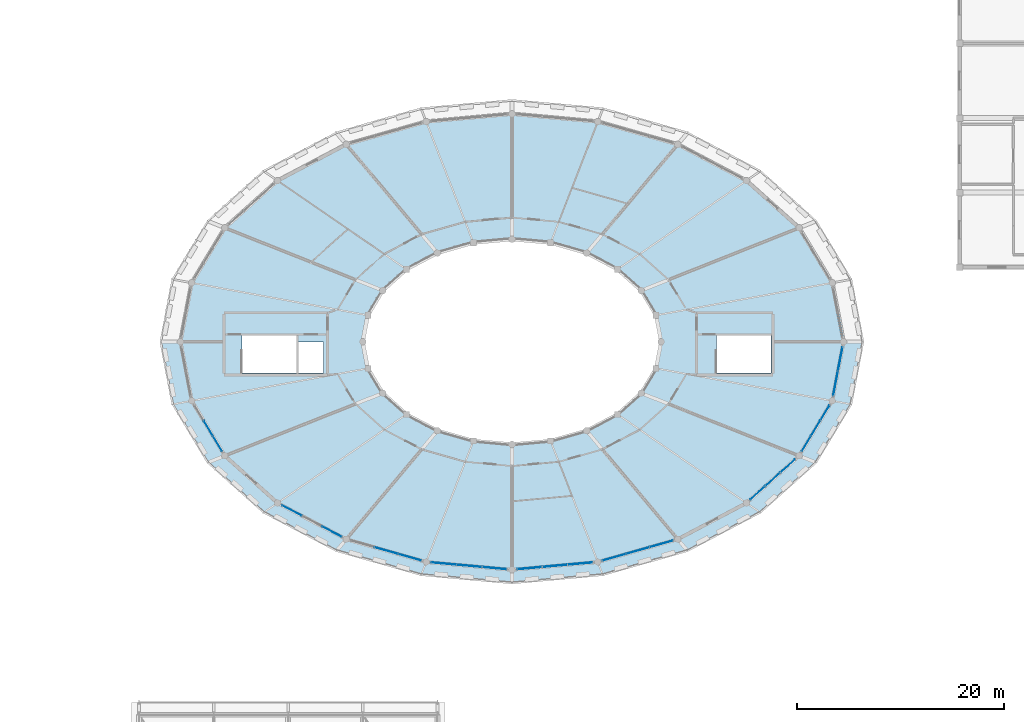
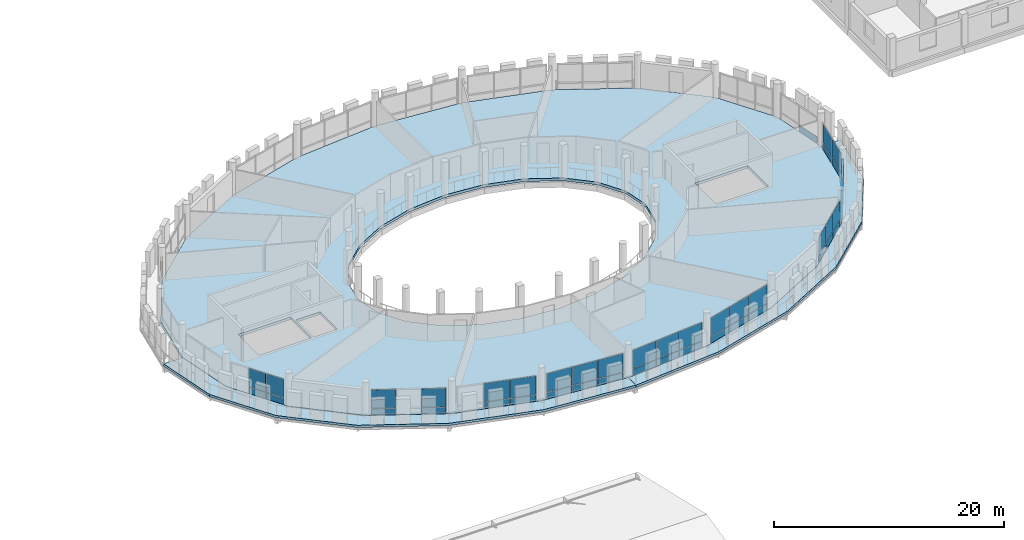
# One storey, part 61 of 84: 47 plates, 3 slabs, 10 elements without a shape of their own.
"""IFC4 building model written with IfcOpenShell, lengths in metres."""

from ifc_helpers import new_model, si_unit, direction, frame, origin, origin_2d, place, context, subcontext, project, spatial, polyline, rectangle, outline, extrude, material, layer, layer_set, type_object, element, aggregate, save


model = new_model("IFC4")

# Units and contexts
model_context = context("Model", 3, precision=1e-05, world=origin(), true_north=direction((0.0, 1.0)))
body_context = subcontext(model_context, "Body", "Model", "MODEL_VIEW")
ifc_project = project(units=[si_unit("LENGTHUNIT", "METRE"), si_unit("AREAUNIT", "SQUARE_METRE"), si_unit("VOLUMEUNIT", "CUBIC_METRE"), si_unit("PLANEANGLEUNIT", "RADIAN"), si_unit("MASSUNIT", "GRAM", prefix="KILO")], contexts=[model_context])

# Site, building, storey
site_placement = place(None, origin())
site = spatial("IfcSite", under=ifc_project, at=site_placement, CompositionType="ELEMENT")
building_placement = place(site_placement, origin())
building = spatial("IfcBuilding", under=site, at=building_placement, Name="Zornivar Specialist Clinic", CompositionType="ELEMENT")
storey_placement = place(building_placement, frame((0.0, 0.0, 12.300048828125)))
storey = spatial("IfcBuildingStorey", under=building, at=storey_placement, Name="L03", CompositionType="ELEMENT", Elevation=12.300048828125)

# Curtain wall, plates
ifc_material_1 = material(Name="Aluminium and Low-E Glass Curtain Wall", Category="aluminium")
curtain_wall_type = type_object("IfcCurtainWallType", Name="CW-DRUM-FACET", PredefinedType="NOTDEFINED", material=ifc_material_1)
curtain_wall_1_placement = place(storey_placement, origin())
curtain_wall_1 = element("IfcCurtainWall", 1, at=curtain_wall_1_placement, inside=storey, type_object=curtain_wall_type, Name="cw:V1:L03:c15", PredefinedType="NOTDEFINED")
ifc_material_2 = material(Name="Insulated Bronze Spandrel Panel")
ifc_layer_1 = layer(ifc_material_2, 0.048095703125)
ifc_layer_set_1 = layer_set([ifc_layer_1], Name="Insulated Bronze Spandrel Panel")
plate_type_1 = type_object("IfcPlateType", Name="CWP-SPN-A", PredefinedType="CURTAIN_PANEL", material=ifc_layer_set_1)
plate_1_placement = place(storey_placement, frame((72.361083984375, 41.31201171875, 0.030517578125), z_axis=(0.0, 0.0, 1.0), x_axis=(0.884383019078, -0.46676190458, 0.0)))
plate_1 = element("IfcPlate", 2, at=plate_1_placement, type_object=plate_type_1, Name="cw:V1:L03:c15:spn:0", PredefinedType="CURTAIN_PANEL", context=body_context, shape_type="SweptSolid", body=[
    extrude(rectangle(XDim=2.10791015625, YDim=0.048095703125, at=origin_2d()), origin(), (0.0, 0.0, 1.0), 0.6708984375),
])
plate_2_placement = place(storey_placement, frame((76.212890625, 39.279052734375, 0.030517578125), z_axis=(0.0, 0.0, 1.0), x_axis=(0.884383019078, -0.46676190458, 0.0)))
plate_2 = element("IfcPlate", 3, at=plate_2_placement, type_object=plate_type_1, Name="cw:V1:L03:c15:spn:2", PredefinedType="CURTAIN_PANEL", context=body_context, shape_type="SweptSolid", body=[
    extrude(rectangle(XDim=2.10791015625, YDim=0.048095703125, at=origin_2d()), origin(), (0.0, 0.0, 1.0), 0.6708984375),
])

curtain_wall_2_placement = place(storey_placement, origin())
curtain_wall_2 = element("IfcCurtainWall", 4, at=curtain_wall_2_placement, inside=storey, type_object=curtain_wall_type, Name="cw:V1:L03:c21", PredefinedType="NOTDEFINED")
plate_3_placement = place(storey_placement, frame((117.31298828125, 43.01708984375, 0.030517578125), z_axis=(0.0, 0.0, 1.0), x_axis=(0.744880599036, 0.667197791648, 0.0)))
plate_3 = element("IfcPlate", 5, at=plate_3_placement, type_object=plate_type_1, Name="cw:V1:L03:c21:spn:0", PredefinedType="CURTAIN_PANEL", context=body_context, shape_type="SweptSolid", body=[
    extrude(rectangle(XDim=1.885986328125, YDim=0.048095703125, at=origin_2d()), origin(), (0.0, 0.0, 1.0), 0.6708984375),
])
plate_4_placement = place(storey_placement, frame((118.77001953125, 44.322021484375, 0.030517578125), z_axis=(0.0, 0.0, 1.0), x_axis=(0.744880599036, 0.667197791648, 0.0)))
plate_4 = element("IfcPlate", 6, at=plate_4_placement, type_object=plate_type_1, Name="cw:V1:L03:c21:spn:1", PredefinedType="CURTAIN_PANEL", context=body_context, shape_type="SweptSolid", body=[
    extrude(rectangle(XDim=1.885986328125, YDim=0.048095703125, at=origin_2d()), origin(), (0.0, 0.0, 1.0), 0.6708984375),
])
plate_5_placement = place(storey_placement, frame((120.22705078125, 45.626953125, 0.030517578125), z_axis=(0.0, 0.0, 1.0), x_axis=(0.744880599036, 0.667197791648, 0.0)))
plate_5 = element("IfcPlate", 7, at=plate_5_placement, type_object=plate_type_1, Name="cw:V1:L03:c21:spn:2", PredefinedType="CURTAIN_PANEL", context=body_context, shape_type="SweptSolid", body=[
    extrude(rectangle(XDim=1.885009765625, YDim=0.048095703125, at=origin_2d()), origin(), (0.0, 0.0, 1.0), 0.6708984375),
])

curtain_wall_3_placement = place(storey_placement, origin())
curtain_wall_3 = element("IfcCurtainWall", 8, at=curtain_wall_3_placement, inside=storey, type_object=curtain_wall_type, Name="cw:V1:L03:c16", PredefinedType="NOTDEFINED")
ifc_material_3 = material(Name="Insulated Bronze Spandrel Panel")
ifc_layer_2 = layer(ifc_material_3, 0.048095703125)
ifc_layer_set_2 = layer_set([ifc_layer_2], Name="Insulated Bronze Spandrel Panel")
plate_type_2 = type_object("IfcPlateType", Name="CWP-SPN-B", PredefinedType="CURTAIN_PANEL", material=ifc_layer_set_2)
plate_6_placement = place(storey_placement, frame((81.458984375, 37.448974609375, 0.030517578125), z_axis=(0.0, 0.0, 1.0), x_axis=(0.961761244933, -0.273889225319, 0.0)))
plate_6 = element("IfcPlate", 9, at=plate_6_placement, type_object=plate_type_2, Name="cw:V1:L03:c16:spn:1", PredefinedType="CURTAIN_PANEL", context=body_context, shape_type="SweptSolid", body=[
    extrude(rectangle(XDim=2.284912109375, YDim=0.048095703125, at=origin_2d()), origin(), (0.0, 0.0, 1.0), 0.6708984375),
])
plate_7_placement = place(storey_placement, frame((83.72412109375, 36.803955078125, 0.030517578125), z_axis=(0.0, 0.0, 1.0), x_axis=(0.961761244933, -0.273889225319, 0.0)))
plate_7 = element("IfcPlate", 10, at=plate_7_placement, type_object=plate_type_2, Name="cw:V1:L03:c16:spn:2", PredefinedType="CURTAIN_PANEL", context=body_context, shape_type="SweptSolid", body=[
    extrude(rectangle(XDim=2.284912109375, YDim=0.048095703125, at=origin_2d()), origin(), (0.0, 0.0, 1.0), 0.6708984375),
])

curtain_wall_4_placement = place(storey_placement, origin())
curtain_wall_4 = element("IfcCurtainWall", 11, at=curtain_wall_4_placement, inside=storey, type_object=curtain_wall_type, Name="cw:V1:L03:c22", PredefinedType="NOTDEFINED")
plate_8_placement = place(storey_placement, frame((122.010986328125, 47.759033203125, 0.030517578125), z_axis=(0.0, 0.0, 1.0), x_axis=(0.516127401954, 0.856511824175, 0.0)))
plate_8 = element("IfcPlate", 12, at=plate_8_placement, type_object=plate_type_2, Name="cw:V1:L03:c22:spn:0", PredefinedType="CURTAIN_PANEL", context=body_context, shape_type="SweptSolid", body=[
    extrude(rectangle(XDim=1.675048828125, YDim=0.048095703125, at=origin_2d()), origin(), (0.0, 0.0, 1.0), 0.6708984375),
])
plate_9_placement = place(storey_placement, frame((122.910888671875, 49.2529296875, 0.030517578125), z_axis=(0.0, 0.0, 1.0), x_axis=(0.516127401954, 0.856511824175, 0.0)))
plate_9 = element("IfcPlate", 13, at=plate_9_placement, type_object=plate_type_2, Name="cw:V1:L03:c22:spn:1", PredefinedType="CURTAIN_PANEL", context=body_context, shape_type="SweptSolid", body=[
    extrude(rectangle(XDim=1.675048828125, YDim=0.048095703125, at=origin_2d()), origin(), (0.0, 0.0, 1.0), 0.6708984375),
])
plate_10_placement = place(storey_placement, frame((123.81201171875, 50.748046875, 0.030517578125), z_axis=(0.0, 0.0, 1.0), x_axis=(0.516127401954, 0.856511824175, 0.0)))
plate_10 = element("IfcPlate", 14, at=plate_10_placement, type_object=plate_type_2, Name="cw:V1:L03:c22:spn:2", PredefinedType="CURTAIN_PANEL", context=body_context, shape_type="SweptSolid", body=[
    extrude(rectangle(XDim=1.675048828125, YDim=0.048095703125, at=origin_2d()), origin(), (0.0, 0.0, 1.0), 0.6708984375),
])

curtain_wall_5_placement = place(storey_placement, origin())
curtain_wall_5 = element("IfcCurtainWall", 15, at=curtain_wall_5_placement, inside=storey, type_object=curtain_wall_type, Name="cw:V1:L03:c17", PredefinedType="NOTDEFINED")
ifc_material_4 = material(Name="Insulated Bronze Spandrel Panel")
ifc_layer_3 = layer(ifc_material_4, 0.048095703125)
ifc_layer_set_3 = layer_set([ifc_layer_3], Name="Insulated Bronze Spandrel Panel")
plate_type_3 = type_object("IfcPlateType", Name="CWP-SPN-C", PredefinedType="CURTAIN_PANEL", material=ifc_layer_set_3)
plate_11_placement = place(storey_placement, frame((87.01708984375, 36.196044921875, 0.030517578125), z_axis=(0.0, 0.0, 1.0), x_axis=(0.995932792393, -0.09009923993, 0.0)))
plate_11 = element("IfcPlate", 16, at=plate_11_placement, type_object=plate_type_3, Name="cw:V1:L03:c17:spn:0", PredefinedType="CURTAIN_PANEL", context=body_context, shape_type="SweptSolid", body=[
    extrude(rectangle(XDim=2.382080078125, YDim=0.048095703125, at=origin_2d()), origin(), (0.0, 0.0, 1.0), 0.6708984375),
])
plate_12_placement = place(storey_placement, frame((89.458984375, 35.97509765625, 0.030517578125), z_axis=(0.0, 0.0, 1.0), x_axis=(0.995932792393, -0.09009923993, 0.0)))
plate_12 = element("IfcPlate", 17, at=plate_12_placement, type_object=plate_type_3, Name="cw:V1:L03:c17:spn:1", PredefinedType="CURTAIN_PANEL", context=body_context, shape_type="SweptSolid", body=[
    extrude(rectangle(XDim=2.382080078125, YDim=0.048095703125, at=origin_2d()), origin(), (0.0, 0.0, 1.0), 0.6708984375),
])
plate_13_placement = place(storey_placement, frame((91.90087890625, 35.75390625, 0.030517578125), z_axis=(0.0, 0.0, 1.0), x_axis=(0.995932792393, -0.09009923993, 0.0)))
plate_13 = element("IfcPlate", 18, at=plate_13_placement, type_object=plate_type_3, Name="cw:V1:L03:c17:spn:2", PredefinedType="CURTAIN_PANEL", context=body_context, shape_type="SweptSolid", body=[
    extrude(rectangle(XDim=2.382080078125, YDim=0.048095703125, at=origin_2d()), origin(), (0.0, 0.0, 1.0), 0.6708984375),
])

curtain_wall_6_placement = place(storey_placement, origin())
curtain_wall_6 = element("IfcCurtainWall", 19, at=curtain_wall_6_placement, inside=storey, type_object=curtain_wall_type, Name="cw:V1:L03:c23", PredefinedType="NOTDEFINED")
plate_14_placement = place(storey_placement, frame((124.827880859375, 53.56494140625, 0.030517578125), z_axis=(0.0, 0.0, 1.0), x_axis=(0.187896976838, 0.982188742602, 0.0)))
plate_14 = element("IfcPlate", 20, at=plate_14_placement, type_object=plate_type_3, Name="cw:V1:L03:c23:spn:0", PredefinedType="CURTAIN_PANEL", context=body_context, shape_type="SweptSolid", body=[
    extrude(rectangle(XDim=2.34912109375, YDim=0.048095703125, at=origin_2d()), origin(), (0.0, 0.0, 1.0), 0.6708984375),
])
plate_15_placement = place(storey_placement, frame((125.282958984375, 55.94091796875, 0.030517578125), z_axis=(0.0, 0.0, 1.0), x_axis=(0.187896976838, 0.982188742602, 0.0)))
plate_15 = element("IfcPlate", 21, at=plate_15_placement, type_object=plate_type_3, Name="cw:V1:L03:c23:spn:1", PredefinedType="CURTAIN_PANEL", context=body_context, shape_type="SweptSolid", body=[
    extrude(rectangle(XDim=2.34912109375, YDim=0.048095703125, at=origin_2d()), origin(), (0.0, 0.0, 1.0), 0.6708984375),
])

# Curtain wall, plate
curtain_wall_7_placement = place(storey_placement, origin())
curtain_wall_7 = element("IfcCurtainWall", 22, at=curtain_wall_7_placement, inside=storey, type_object=curtain_wall_type, Name="cw:V1:L03:c00", PredefinedType="NOTDEFINED")
ifc_material_5 = material(Name="Insulated Limestone-Faced Spandrel Panel", Category="masonry")
ifc_layer_4 = layer(ifc_material_5, 0.05810546875)
ifc_layer_set_4 = layer_set([ifc_layer_4], Name="Insulated Limestone-Faced Spandrel Panel")
plate_type_4 = type_object("IfcPlateType", Name="CWP-SPN-D", PredefinedType="CURTAIN_PANEL", material=ifc_layer_set_4)
plate_16_placement = place(storey_placement, frame((125.281982421875, 59.259033203125, 0.030517578125), z_axis=(0.0, 0.0, 1.0), x_axis=(-0.187896976838, 0.982188742602, 0.0)))
plate_16 = element("IfcPlate", 23, at=plate_16_placement, type_object=plate_type_4, Name="cw:V1:L03:c00:spn:0", PredefinedType="CURTAIN_PANEL", context=body_context, shape_type="SweptSolid", body=[
    extrude(rectangle(XDim=2.34912109375, YDim=0.05810546875, at=origin_2d()), origin(), (0.0, 0.0, 1.0), 0.6708984375),
])
aggregate(curtain_wall_7, [plate_16])

# Curtain wall, plates
curtain_wall_8_placement = place(storey_placement, origin())
curtain_wall_8 = element("IfcCurtainWall", 24, at=curtain_wall_8_placement, inside=storey, type_object=curtain_wall_type, Name="cw:V1:L03:c18", PredefinedType="NOTDEFINED")
plate_17_placement = place(storey_placement, frame((95.299072265625, 35.75390625, 0.030517578125), z_axis=(0.0, 0.0, 1.0), x_axis=(0.995932792393, 0.09009923993, 0.0)))
plate_17 = element("IfcPlate", 25, at=plate_17_placement, type_object=plate_type_4, Name="cw:V1:L03:c18:spn:0", PredefinedType="CURTAIN_PANEL", context=body_context, shape_type="SweptSolid", body=[
    extrude(rectangle(XDim=2.382080078125, YDim=0.05810546875, at=origin_2d()), origin(), (0.0, 0.0, 1.0), 0.6708984375),
])
plate_18_placement = place(storey_placement, frame((97.740966796875, 35.97509765625, 0.030517578125), z_axis=(0.0, 0.0, 1.0), x_axis=(0.995932792393, 0.09009923993, 0.0)))
plate_18 = element("IfcPlate", 26, at=plate_18_placement, type_object=plate_type_4, Name="cw:V1:L03:c18:spn:1", PredefinedType="CURTAIN_PANEL", context=body_context, shape_type="SweptSolid", body=[
    extrude(rectangle(XDim=2.382080078125, YDim=0.05810546875, at=origin_2d()), origin(), (0.0, 0.0, 1.0), 0.6708984375),
])
plate_19_placement = place(storey_placement, frame((100.18310546875, 36.196044921875, 0.030517578125), z_axis=(0.0, 0.0, 1.0), x_axis=(0.995932792393, 0.09009923993, 0.0)))
plate_19 = element("IfcPlate", 27, at=plate_19_placement, type_object=plate_type_4, Name="cw:V1:L03:c18:spn:2", PredefinedType="CURTAIN_PANEL", context=body_context, shape_type="SweptSolid", body=[
    extrude(rectangle(XDim=2.382080078125, YDim=0.05810546875, at=origin_2d()), origin(), (0.0, 0.0, 1.0), 0.6708984375),
])

curtain_wall_9_placement = place(storey_placement, origin())
curtain_wall_9 = element("IfcCurtainWall", 28, at=curtain_wall_9_placement, inside=storey, type_object=curtain_wall_type, Name="cw:V1:L03:c13", PredefinedType="NOTDEFINED")
ifc_material_6 = material(Name="Insulated Bronze Spandrel Panel")
ifc_layer_5 = layer(ifc_material_6, 0.0458984375)
ifc_layer_set_5 = layer_set([ifc_layer_5], Name="Insulated Bronze Spandrel Panel")
plate_type_5 = type_object("IfcPlateType", Name="CWP-SPN-E", PredefinedType="CURTAIN_PANEL", material=ifc_layer_set_5)
plate_20_placement = place(storey_placement, frame((64.2880859375, 49.2529296875, 0.030517578125), z_axis=(0.0, 0.0, 1.0), x_axis=(0.516127401954, -0.856511824175, 0.0)))
plate_20 = element("IfcPlate", 29, at=plate_20_placement, type_object=plate_type_5, Name="cw:V1:L03:c13:spn:1", PredefinedType="CURTAIN_PANEL", context=body_context, shape_type="SweptSolid", body=[
    extrude(rectangle(XDim=1.675048828125, YDim=0.0458984375, at=origin_2d()), origin(), (0.0, 0.0, 1.0), 0.6708984375),
])
plate_21_placement = place(storey_placement, frame((65.18896484375, 47.758056640625, 0.030517578125), z_axis=(0.0, 0.0, 1.0), x_axis=(0.516127401954, -0.856511824175, 0.0)))
plate_21 = element("IfcPlate", 30, at=plate_21_placement, type_object=plate_type_5, Name="cw:V1:L03:c13:spn:2", PredefinedType="CURTAIN_PANEL", context=body_context, shape_type="SweptSolid", body=[
    extrude(rectangle(XDim=1.675048828125, YDim=0.0458984375, at=origin_2d()), origin(), (0.0, 0.0, 1.0), 0.6708984375),
])

curtain_wall_10_placement = place(storey_placement, origin())
curtain_wall_10 = element("IfcCurtainWall", 31, at=curtain_wall_10_placement, inside=storey, type_object=curtain_wall_type, Name="cw:V1:L03:c19", PredefinedType="NOTDEFINED")
plate_22_placement = place(storey_placement, frame((103.47607421875, 36.802978515625, 0.030517578125), z_axis=(0.0, 0.0, 1.0), x_axis=(0.961761244933, 0.273889225319, 0.0)))
plate_22 = element("IfcPlate", 32, at=plate_22_placement, type_object=plate_type_5, Name="cw:V1:L03:c19:spn:0", PredefinedType="CURTAIN_PANEL", context=body_context, shape_type="SweptSolid", body=[
    extrude(rectangle(XDim=2.284912109375, YDim=0.0458984375, at=origin_2d()), origin(), (0.0, 0.0, 1.0), 0.6708984375),
])
plate_23_placement = place(storey_placement, frame((105.740966796875, 37.447998046875, 0.030517578125), z_axis=(0.0, 0.0, 1.0), x_axis=(0.961761244933, 0.273889225319, 0.0)))
plate_23 = element("IfcPlate", 33, at=plate_23_placement, type_object=plate_type_5, Name="cw:V1:L03:c19:spn:1", PredefinedType="CURTAIN_PANEL", context=body_context, shape_type="SweptSolid", body=[
    extrude(rectangle(XDim=2.284912109375, YDim=0.0458984375, at=origin_2d()), origin(), (0.0, 0.0, 1.0), 0.6708984375),
])
plate_24_placement = place(storey_placement, frame((108.006103515625, 38.093017578125, 0.030517578125), z_axis=(0.0, 0.0, 1.0), x_axis=(0.961761244933, 0.273889225319, 0.0)))
plate_24 = element("IfcPlate", 34, at=plate_24_placement, type_object=plate_type_5, Name="cw:V1:L03:c19:spn:2", PredefinedType="CURTAIN_PANEL", context=body_context, shape_type="SweptSolid", body=[
    extrude(rectangle(XDim=2.284912109375, YDim=0.0458984375, at=origin_2d()), origin(), (0.0, 0.0, 1.0), 0.6708984375),
])

# Plate
ifc_material_7 = material(Name="Triple Low-E Vision Glass", Category="glass")
ifc_layer_6 = layer(ifc_material_7, 0.035888671875)
ifc_layer_set_6 = layer_set([ifc_layer_6], Name="Triple Low-E Vision Glass")
plate_type_6 = type_object("IfcPlateType", Name="CWP-VIS-A", PredefinedType="CURTAIN_PANEL", material=ifc_layer_set_6)
plate_25_placement = place(storey_placement, frame((87.01708984375, 36.196044921875, 0.76611328125), z_axis=(0.0, 0.0, 1.0), x_axis=(0.995932792393, -0.09009923993, 0.0)))
plate_25 = element("IfcPlate", 35, at=plate_25_placement, type_object=plate_type_6, Name="cw:V1:L03:c17:vis:0", PredefinedType="CURTAIN_PANEL", context=body_context, shape_type="SweptSolid", body=[
    extrude(rectangle(XDim=2.382080078125, YDim=0.035888671875, at=origin_2d()), origin(), (0.0, 0.0, 1.0), 1.944091796875),
])

plate_26_placement = place(storey_placement, frame((89.458984375, 35.97509765625, 0.76611328125), z_axis=(0.0, 0.0, 1.0), x_axis=(0.995932792393, -0.09009923993, 0.0)))
plate_26 = element("IfcPlate", 36, at=plate_26_placement, type_object=plate_type_6, Name="cw:V1:L03:c17:vis:1", PredefinedType="CURTAIN_PANEL", context=body_context, shape_type="SweptSolid", body=[
    extrude(rectangle(XDim=2.382080078125, YDim=0.035888671875, at=origin_2d()), origin(), (0.0, 0.0, 1.0), 1.944091796875),
])

plate_27_placement = place(storey_placement, frame((91.90087890625, 35.75390625, 0.76611328125), z_axis=(0.0, 0.0, 1.0), x_axis=(0.995932792393, -0.09009923993, 0.0)))
plate_27 = element("IfcPlate", 37, at=plate_27_placement, type_object=plate_type_6, Name="cw:V1:L03:c17:vis:2", PredefinedType="CURTAIN_PANEL", context=body_context, shape_type="SweptSolid", body=[
    extrude(rectangle(XDim=2.382080078125, YDim=0.035888671875, at=origin_2d()), origin(), (0.0, 0.0, 1.0), 1.944091796875),
])

aggregate(curtain_wall_5, [plate_11, plate_25, plate_12, plate_26, plate_13, plate_27])

ifc_material_8 = material(Name="Triple Low-E Vision Glass", Category="glass")
ifc_layer_7 = layer(ifc_material_8, 0.035888671875)
ifc_layer_set_7 = layer_set([ifc_layer_7], Name="Triple Low-E Vision Glass")
plate_type_7 = type_object("IfcPlateType", Name="CWP-VIS-B", PredefinedType="CURTAIN_PANEL", material=ifc_layer_set_7)
plate_28_placement = place(storey_placement, frame((95.299072265625, 35.75390625, 0.76611328125), z_axis=(0.0, 0.0, 1.0), x_axis=(0.995932792393, 0.09009923993, 0.0)))
plate_28 = element("IfcPlate", 38, at=plate_28_placement, type_object=plate_type_7, Name="cw:V1:L03:c18:vis:0", PredefinedType="CURTAIN_PANEL", context=body_context, shape_type="SweptSolid", body=[
    extrude(rectangle(XDim=2.382080078125, YDim=0.035888671875, at=origin_2d()), origin(), (0.0, 0.0, 1.0), 1.944091796875),
])

plate_29_placement = place(storey_placement, frame((97.740966796875, 35.97509765625, 0.76611328125), z_axis=(0.0, 0.0, 1.0), x_axis=(0.995932792393, 0.09009923993, 0.0)))
plate_29 = element("IfcPlate", 39, at=plate_29_placement, type_object=plate_type_7, Name="cw:V1:L03:c18:vis:1", PredefinedType="CURTAIN_PANEL", context=body_context, shape_type="SweptSolid", body=[
    extrude(rectangle(XDim=2.382080078125, YDim=0.035888671875, at=origin_2d()), origin(), (0.0, 0.0, 1.0), 1.944091796875),
])

plate_30_placement = place(storey_placement, frame((100.18310546875, 36.196044921875, 0.76611328125), z_axis=(0.0, 0.0, 1.0), x_axis=(0.995932792393, 0.09009923993, 0.0)))
plate_30 = element("IfcPlate", 40, at=plate_30_placement, type_object=plate_type_7, Name="cw:V1:L03:c18:vis:2", PredefinedType="CURTAIN_PANEL", context=body_context, shape_type="SweptSolid", body=[
    extrude(rectangle(XDim=2.382080078125, YDim=0.035888671875, at=origin_2d()), origin(), (0.0, 0.0, 1.0), 1.944091796875),
])

aggregate(curtain_wall_8, [plate_17, plate_28, plate_18, plate_29, plate_19, plate_30])

ifc_material_9 = material(Name="Triple Low-E Vision Glass", Category="glass")
ifc_layer_8 = layer(ifc_material_9, 0.035888671875)
ifc_layer_set_8 = layer_set([ifc_layer_8], Name="Triple Low-E Vision Glass")
plate_type_8 = type_object("IfcPlateType", Name="CWP-VIS-C", PredefinedType="CURTAIN_PANEL", material=ifc_layer_set_8)
plate_31_placement = place(storey_placement, frame((103.47607421875, 36.802978515625, 0.76611328125), z_axis=(0.0, 0.0, 1.0), x_axis=(0.961761244933, 0.273889225319, 0.0)))
plate_31 = element("IfcPlate", 41, at=plate_31_placement, type_object=plate_type_8, Name="cw:V1:L03:c19:vis:0", PredefinedType="CURTAIN_PANEL", context=body_context, shape_type="SweptSolid", body=[
    extrude(rectangle(XDim=2.284912109375, YDim=0.035888671875, at=origin_2d()), origin(), (0.0, 0.0, 1.0), 1.944091796875),
])

plate_32_placement = place(storey_placement, frame((105.740966796875, 37.447998046875, 0.76611328125), z_axis=(0.0, 0.0, 1.0), x_axis=(0.961761244933, 0.273889225319, 0.0)))
plate_32 = element("IfcPlate", 42, at=plate_32_placement, type_object=plate_type_8, Name="cw:V1:L03:c19:vis:1", PredefinedType="CURTAIN_PANEL", context=body_context, shape_type="SweptSolid", body=[
    extrude(rectangle(XDim=2.284912109375, YDim=0.035888671875, at=origin_2d()), origin(), (0.0, 0.0, 1.0), 1.944091796875),
])

plate_33_placement = place(storey_placement, frame((108.006103515625, 38.093017578125, 0.76611328125), z_axis=(0.0, 0.0, 1.0), x_axis=(0.961761244933, 0.273889225319, 0.0)))
plate_33 = element("IfcPlate", 43, at=plate_33_placement, type_object=plate_type_8, Name="cw:V1:L03:c19:vis:2", PredefinedType="CURTAIN_PANEL", context=body_context, shape_type="SweptSolid", body=[
    extrude(rectangle(XDim=2.284912109375, YDim=0.035888671875, at=origin_2d()), origin(), (0.0, 0.0, 1.0), 1.944091796875),
])

aggregate(curtain_wall_10, [plate_22, plate_31, plate_23, plate_32, plate_24, plate_33])

ifc_material_10 = material(Name="Triple Low-E Vision Glass", Category="glass")
ifc_layer_9 = layer(ifc_material_10, 0.035888671875)
ifc_layer_set_9 = layer_set([ifc_layer_9], Name="Triple Low-E Vision Glass")
plate_type_9 = type_object("IfcPlateType", Name="CWP-VIS-E", PredefinedType="CURTAIN_PANEL", material=ifc_layer_set_9)
plate_34_placement = place(storey_placement, frame((117.31298828125, 43.01708984375, 0.76611328125), z_axis=(0.0, 0.0, 1.0), x_axis=(0.744880599036, 0.667197791648, 0.0)))
plate_34 = element("IfcPlate", 44, at=plate_34_placement, type_object=plate_type_9, Name="cw:V1:L03:c21:vis:0", PredefinedType="CURTAIN_PANEL", context=body_context, shape_type="SweptSolid", body=[
    extrude(rectangle(XDim=1.885986328125, YDim=0.035888671875, at=origin_2d()), origin(), (0.0, 0.0, 1.0), 1.944091796875),
])

plate_35_placement = place(storey_placement, frame((118.77001953125, 44.322021484375, 0.76611328125), z_axis=(0.0, 0.0, 1.0), x_axis=(0.744880599036, 0.667197791648, 0.0)))
plate_35 = element("IfcPlate", 45, at=plate_35_placement, type_object=plate_type_9, Name="cw:V1:L03:c21:vis:1", PredefinedType="CURTAIN_PANEL", context=body_context, shape_type="SweptSolid", body=[
    extrude(rectangle(XDim=1.885986328125, YDim=0.035888671875, at=origin_2d()), origin(), (0.0, 0.0, 1.0), 1.944091796875),
])

plate_36_placement = place(storey_placement, frame((120.22705078125, 45.626953125, 0.76611328125), z_axis=(0.0, 0.0, 1.0), x_axis=(0.744880599036, 0.667197791648, 0.0)))
plate_36 = element("IfcPlate", 46, at=plate_36_placement, type_object=plate_type_9, Name="cw:V1:L03:c21:vis:2", PredefinedType="CURTAIN_PANEL", context=body_context, shape_type="SweptSolid", body=[
    extrude(rectangle(XDim=1.885009765625, YDim=0.035888671875, at=origin_2d()), origin(), (0.0, 0.0, 1.0), 1.944091796875),
])

aggregate(curtain_wall_2, [plate_3, plate_34, plate_4, plate_35, plate_5, plate_36])

ifc_material_11 = material(Name="Triple Low-E Vision Glass", Category="glass")
ifc_layer_10 = layer(ifc_material_11, 0.035888671875)
ifc_layer_set_10 = layer_set([ifc_layer_10], Name="Triple Low-E Vision Glass")
plate_type_10 = type_object("IfcPlateType", Name="CWP-VIS-F", PredefinedType="CURTAIN_PANEL", material=ifc_layer_set_10)
plate_37_placement = place(storey_placement, frame((122.010986328125, 47.759033203125, 0.76611328125), z_axis=(0.0, 0.0, 1.0), x_axis=(0.516127401954, 0.856511824175, 0.0)))
plate_37 = element("IfcPlate", 47, at=plate_37_placement, type_object=plate_type_10, Name="cw:V1:L03:c22:vis:0", PredefinedType="CURTAIN_PANEL", context=body_context, shape_type="SweptSolid", body=[
    extrude(rectangle(XDim=1.675048828125, YDim=0.035888671875, at=origin_2d()), origin(), (0.0, 0.0, 1.0), 1.944091796875),
])

plate_38_placement = place(storey_placement, frame((122.910888671875, 49.2529296875, 0.76611328125), z_axis=(0.0, 0.0, 1.0), x_axis=(0.516127401954, 0.856511824175, 0.0)))
plate_38 = element("IfcPlate", 48, at=plate_38_placement, type_object=plate_type_10, Name="cw:V1:L03:c22:vis:1", PredefinedType="CURTAIN_PANEL", context=body_context, shape_type="SweptSolid", body=[
    extrude(rectangle(XDim=1.675048828125, YDim=0.035888671875, at=origin_2d()), origin(), (0.0, 0.0, 1.0), 1.944091796875),
])

plate_39_placement = place(storey_placement, frame((123.81201171875, 50.748046875, 0.76611328125), z_axis=(0.0, 0.0, 1.0), x_axis=(0.516127401954, 0.856511824175, 0.0)))
plate_39 = element("IfcPlate", 49, at=plate_39_placement, type_object=plate_type_10, Name="cw:V1:L03:c22:vis:2", PredefinedType="CURTAIN_PANEL", context=body_context, shape_type="SweptSolid", body=[
    extrude(rectangle(XDim=1.675048828125, YDim=0.035888671875, at=origin_2d()), origin(), (0.0, 0.0, 1.0), 1.944091796875),
])

aggregate(curtain_wall_4, [plate_8, plate_37, plate_9, plate_38, plate_10, plate_39])

ifc_material_12 = material(Name="Triple Low-E Vision Glass", Category="glass")
ifc_layer_11 = layer(ifc_material_12, 0.035888671875)
ifc_layer_set_11 = layer_set([ifc_layer_11], Name="Triple Low-E Vision Glass")
plate_type_11 = type_object("IfcPlateType", Name="CWP-VIS-G", PredefinedType="CURTAIN_PANEL", material=ifc_layer_set_11)
plate_40_placement = place(storey_placement, frame((64.2880859375, 49.2529296875, 0.76611328125), z_axis=(0.0, 0.0, 1.0), x_axis=(0.516127401954, -0.856511824175, 0.0)))
plate_40 = element("IfcPlate", 50, at=plate_40_placement, type_object=plate_type_11, Name="cw:V1:L03:c13:vis:1", PredefinedType="CURTAIN_PANEL", context=body_context, shape_type="SweptSolid", body=[
    extrude(rectangle(XDim=1.675048828125, YDim=0.035888671875, at=origin_2d()), origin(), (0.0, 0.0, 1.0), 1.944091796875),
])

plate_41_placement = place(storey_placement, frame((65.18896484375, 47.758056640625, 0.76611328125), z_axis=(0.0, 0.0, 1.0), x_axis=(0.516127401954, -0.856511824175, 0.0)))
plate_41 = element("IfcPlate", 51, at=plate_41_placement, type_object=plate_type_11, Name="cw:V1:L03:c13:vis:2", PredefinedType="CURTAIN_PANEL", context=body_context, shape_type="SweptSolid", body=[
    extrude(rectangle(XDim=1.675048828125, YDim=0.035888671875, at=origin_2d()), origin(), (0.0, 0.0, 1.0), 1.944091796875),
])

aggregate(curtain_wall_9, [plate_20, plate_40, plate_21, plate_41])

plate_42_placement = place(storey_placement, frame((124.827880859375, 53.56494140625, 0.76611328125), z_axis=(0.0, 0.0, 1.0), x_axis=(0.187896976838, 0.982188742602, 0.0)))
plate_42 = element("IfcPlate", 52, at=plate_42_placement, type_object=plate_type_11, Name="cw:V1:L03:c23:vis:0", PredefinedType="CURTAIN_PANEL", context=body_context, shape_type="SweptSolid", body=[
    extrude(rectangle(XDim=2.34912109375, YDim=0.035888671875, at=origin_2d()), origin(), (0.0, 0.0, 1.0), 1.944091796875),
])

plate_43_placement = place(storey_placement, frame((125.282958984375, 55.94091796875, 0.76611328125), z_axis=(0.0, 0.0, 1.0), x_axis=(0.187896976838, 0.982188742602, 0.0)))
plate_43 = element("IfcPlate", 53, at=plate_43_placement, type_object=plate_type_11, Name="cw:V1:L03:c23:vis:1", PredefinedType="CURTAIN_PANEL", context=body_context, shape_type="SweptSolid", body=[
    extrude(rectangle(XDim=2.34912109375, YDim=0.035888671875, at=origin_2d()), origin(), (0.0, 0.0, 1.0), 1.944091796875),
])

aggregate(curtain_wall_6, [plate_14, plate_42, plate_15, plate_43])

ifc_material_13 = material(Name="Triple Low-E Vision Glass", Category="glass")
ifc_layer_12 = layer(ifc_material_13, 0.033935546875)
ifc_layer_set_12 = layer_set([ifc_layer_12], Name="Triple Low-E Vision Glass")
plate_type_12 = type_object("IfcPlateType", Name="CWP-VIS-J", PredefinedType="CURTAIN_PANEL", material=ifc_layer_set_12)
plate_44_placement = place(storey_placement, frame((72.361083984375, 41.31201171875, 0.76611328125), z_axis=(0.0, 0.0, 1.0), x_axis=(0.884383019078, -0.46676190458, 0.0)))
plate_44 = element("IfcPlate", 54, at=plate_44_placement, type_object=plate_type_12, Name="cw:V1:L03:c15:vis:0", PredefinedType="CURTAIN_PANEL", context=body_context, shape_type="SweptSolid", body=[
    extrude(rectangle(XDim=2.10791015625, YDim=0.033935546875, at=origin_2d()), origin(), (0.0, 0.0, 1.0), 1.944091796875),
])

plate_45_placement = place(storey_placement, frame((76.212890625, 39.279052734375, 0.76611328125), z_axis=(0.0, 0.0, 1.0), x_axis=(0.884383019078, -0.46676190458, 0.0)))
plate_45 = element("IfcPlate", 55, at=plate_45_placement, type_object=plate_type_12, Name="cw:V1:L03:c15:vis:2", PredefinedType="CURTAIN_PANEL", context=body_context, shape_type="SweptSolid", body=[
    extrude(rectangle(XDim=2.10791015625, YDim=0.033935546875, at=origin_2d()), origin(), (0.0, 0.0, 1.0), 1.944091796875),
])

aggregate(curtain_wall_1, [plate_1, plate_44, plate_2, plate_45])

ifc_material_14 = material(Name="Solar-Control Wintergarden Glass", Category="glass")
ifc_layer_13 = layer(ifc_material_14, 0.0380859375)
ifc_layer_set_13 = layer_set([ifc_layer_13], Name="Solar-Control Wintergarden Glass")
plate_type_13 = type_object("IfcPlateType", Name="CWP-VIS-L", PredefinedType="CURTAIN_PANEL", material=ifc_layer_set_13)
plate_46_placement = place(storey_placement, frame((81.458984375, 37.448974609375, 0.76611328125), z_axis=(0.0, 0.0, 1.0), x_axis=(0.961761244933, -0.273889225319, 0.0)))
plate_46 = element("IfcPlate", 56, at=plate_46_placement, type_object=plate_type_13, Name="cw:V1:L03:c16:vis:1", PredefinedType="CURTAIN_PANEL", context=body_context, shape_type="SweptSolid", body=[
    extrude(rectangle(XDim=2.284912109375, YDim=0.0380859375, at=origin_2d()), origin(), (0.0, 0.0, 1.0), 1.944091796875),
])

plate_47_placement = place(storey_placement, frame((83.72412109375, 36.803955078125, 0.76611328125), z_axis=(0.0, 0.0, 1.0), x_axis=(0.961761244933, -0.273889225319, 0.0)))
plate_47 = element("IfcPlate", 57, at=plate_47_placement, type_object=plate_type_13, Name="cw:V1:L03:c16:vis:2", PredefinedType="CURTAIN_PANEL", context=body_context, shape_type="SweptSolid", body=[
    extrude(rectangle(XDim=2.284912109375, YDim=0.0380859375, at=origin_2d()), origin(), (0.0, 0.0, 1.0), 1.944091796875),
])

aggregate(curtain_wall_3, [plate_6, plate_46, plate_7, plate_47])

# Slabs
ifc_material_15 = material(Name="Concrete C30/37", Category="concrete")
ifc_layer_14 = layer(ifc_material_15, 0.239990234375)
ifc_layer_set_14 = layer_set([ifc_layer_14], Name="Concrete C30/37")
slab_type_1 = type_object("IfcSlabType", Name="SLB-EXT-BALC-240", PredefinedType="FLOOR", material=ifc_layer_set_14)
slab_1_placement = place(storey_placement, frame((0.0, 0.0, -0.239990234375)))
element("IfcSlab", 58, at=slab_1_placement, inside=storey, type_object=slab_type_1, Name="slab:V1:L03:balc:q2", PredefinedType="FLOOR", context=body_context, shape_type="SweptSolid", body=[
    extrude(outline(polyline([(61.60009765625, 57.60009765625), (62.68994140625, 51.906005859375), (65.886962890625, 46.60009765625), (70.972900390625, 42.0439453125), (77.60009765625, 38.547119140625), (85.318115234375, 36.35009765625), (93.60009765625, 35.60009765625), (93.60009765625, 34.280029296875), (84.821044921875, 35.074951171875), (76.639892578125, 37.404052734375), (69.614990234375, 41.110107421875), (64.22412109375, 45.93994140625), (60.8359375, 51.56396484375), (59.679931640625, 57.60009765625), (61.60009765625, 57.60009765625)])), origin(), (0.0, 0.0, 1.0), 0.239990234375),
])
slab_2_placement = place(storey_placement, frame((0.0, 0.0, -0.239990234375)))
element("IfcSlab", 59, at=slab_2_placement, inside=storey, type_object=slab_type_1, Name="slab:V1:L03:balc:q3", PredefinedType="FLOOR", context=body_context, shape_type="SweptSolid", body=[
    extrude(outline(polyline([(93.60009765625, 35.60009765625), (101.882080078125, 36.35009765625), (109.60009765625, 38.547119140625), (116.22705078125, 42.0439453125), (121.31298828125, 46.60009765625), (124.510009765625, 51.906005859375), (125.60009765625, 57.60009765625), (127.52001953125, 57.60009765625), (126.364013671875, 51.56396484375), (122.97607421875, 45.93994140625), (117.5849609375, 41.110107421875), (110.56005859375, 37.404052734375), (102.37890625, 35.074951171875), (93.60009765625, 34.280029296875), (93.60009765625, 35.60009765625)])), origin(), (0.0, 0.0, 1.0), 0.239990234375),
])
ifc_material_16 = material(Name="Concrete C30/37", Category="concrete")
ifc_layer_15 = layer(ifc_material_16, 0.2900390625)
ifc_layer_set_15 = layer_set([ifc_layer_15], Name="Concrete C30/37")
slab_type_2 = type_object("IfcSlabType", Name="SLB-FLR-DRUM-290", PredefinedType="FLOOR", material=ifc_layer_set_15)
slab_3_placement = place(storey_placement, frame((0.0, 0.0, -0.2900390625)))
element("IfcSlab", 60, at=slab_3_placement, inside=storey, type_object=slab_type_2, Name="slab:V1:L03:ring", PredefinedType="FLOOR", context=body_context, shape_type="SweptSolid", body=[
    extrude(outline(polyline([(125.60009765625, 57.60009765625), (124.510009765625, 63.2939453125), (121.31298828125, 68.60009765625), (116.22705078125, 73.156005859375), (109.60009765625, 76.653076171875), (101.882080078125, 78.85009765625), (93.60009765625, 79.60009765625), (85.318115234375, 78.85009765625), (77.60009765625, 76.653076171875), (70.972900390625, 73.156005859375), (65.886962890625, 68.60009765625), (62.68994140625, 63.2939453125), (61.60009765625, 57.60009765625), (62.68994140625, 51.906005859375), (65.886962890625, 46.60009765625), (70.972900390625, 42.0439453125), (77.60009765625, 38.547119140625), (85.318115234375, 36.35009765625), (93.60009765625, 35.60009765625), (101.882080078125, 36.35009765625), (109.60009765625, 38.547119140625), (116.22705078125, 42.0439453125), (121.31298828125, 46.60009765625), (124.510009765625, 51.906005859375), (125.60009765625, 57.60009765625)]), holes=[polyline([(108.0, 57.60009765625), (107.509033203125, 60.162109375), (106.071044921875, 62.550048828125), (103.781982421875, 64.60009765625), (100.800048828125, 66.174072265625), (97.326904296875, 67.1630859375), (93.60009765625, 67.5), (89.873046875, 67.1630859375), (86.39990234375, 66.174072265625), (83.41796875, 64.60009765625), (81.12890625, 62.550048828125), (79.69091796875, 60.162109375), (79.199951171875, 57.60009765625), (79.69091796875, 55.0380859375), (81.12890625, 52.64990234375), (83.41796875, 50.60009765625), (86.39990234375, 49.02587890625), (89.873046875, 48.037109375), (93.60009765625, 47.699951171875), (97.326904296875, 48.037109375), (100.800048828125, 49.02587890625), (103.781982421875, 50.60009765625), (106.071044921875, 52.64990234375), (107.509033203125, 55.0380859375), (108.0, 57.60009765625)]), polyline([(67.52001953125, 54.60009765625), (72.800048828125, 54.60009765625), (72.800048828125, 58.199951171875), (67.52001953125, 58.199951171875), (67.52001953125, 54.60009765625)]), polyline([(73.0, 54.60009765625), (75.39990234375, 54.60009765625), (75.39990234375, 57.60009765625), (73.0, 57.60009765625), (73.0, 54.60009765625)]), polyline([(113.320068359375, 54.60009765625), (118.60009765625, 54.60009765625), (118.60009765625, 58.199951171875), (113.320068359375, 58.199951171875), (113.320068359375, 54.60009765625)])]), origin(), (0.0, 0.0, 1.0), 0.2900390625),
])

save(model, "model.ifc")
